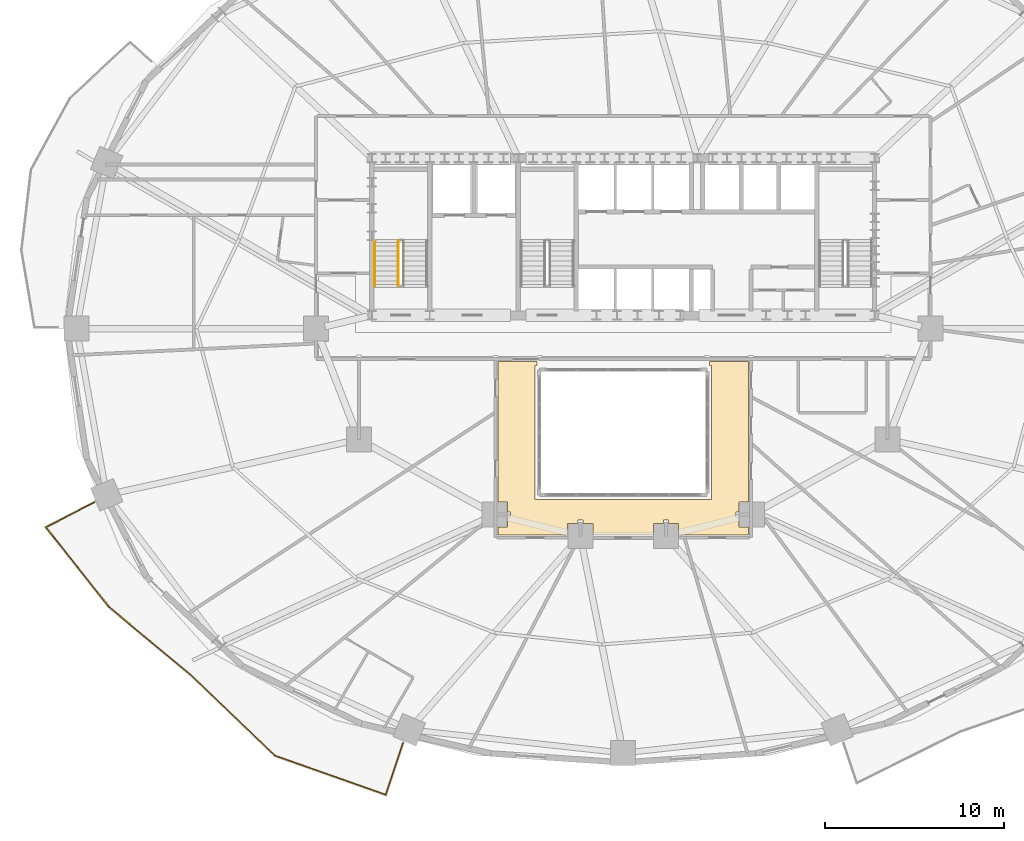
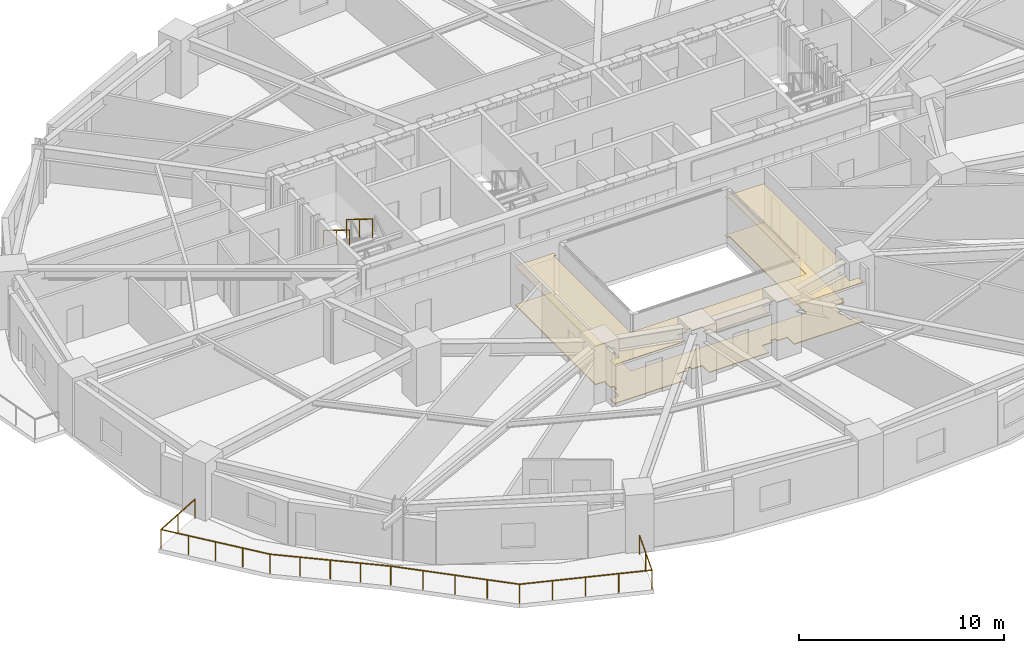
# One storey, part 14 of 17: 3 railings, 2 coverings.
"""IFC4 building model written with IfcOpenShell, lengths in metres."""

from ifc_helpers import new_model, si_unit, direction, frame, origin, origin_2d, place, context, subcontext, project, spatial, polyline, rectangle, outline, extrude, material, layer, layer_set, type_object, element, save


model = new_model("IFC4")

# Units and contexts
model_context = context("Model", 3, precision=1e-05, world=origin(), true_north=direction((0.0, 1.0)))
body_context = subcontext(model_context, "Body", "Model", "MODEL_VIEW")
ifc_project = project(units=[si_unit("LENGTHUNIT", "METRE"), si_unit("AREAUNIT", "SQUARE_METRE"), si_unit("VOLUMEUNIT", "CUBIC_METRE"), si_unit("PLANEANGLEUNIT", "RADIAN"), si_unit("MASSUNIT", "GRAM", prefix="KILO")], contexts=[model_context])

# Site, building, storey
site_placement = place(None, origin())
site = spatial("IfcSite", under=ifc_project, at=site_placement, CompositionType="ELEMENT")
building_placement = place(site_placement, origin())
building = spatial("IfcBuilding", under=site, at=building_placement, Name="Haldorwick Loom Tower", CompositionType="ELEMENT")
storey_placement = place(building_placement, frame((0.0, 0.0, 61.949951171875)))
storey = spatial("IfcBuildingStorey", under=building, at=storey_placement, Name="L16", CompositionType="ELEMENT", Elevation=61.949951171875)

# Coverings
ifc_material_1 = material(Name="Mineral Fibre Acoustic Ceiling Tile")
ifc_layer_1 = layer(ifc_material_1, 0.054931640625, Name="Mineral Fibre Acoustic Ceiling Tile")
ifc_layer_set_1 = layer_set([ifc_layer_1], Name="Mineral Fibre Acoustic Ceiling Tile")
covering_type_1 = type_object("IfcCoveringType", Name="ARC-COV-CEIL2", PredefinedType="CEILING", material=ifc_layer_set_1)
covering_1_placement = place(storey_placement, frame((0.0, 0.0, 2.302001953125)))
element("IfcCovering", 1, at=covering_1_placement, inside=storey, type_object=covering_type_1, Name="L16 Acoustic Suspended Ceiling 1", PredefinedType="CEILING", context=body_context, shape_type="SweptSolid", body=[
    extrude(outline(polyline([(33.739990234375, 15.10791015625), (34.30810546875, 15.10791015625), (34.30810546875, 14.43994140625), (37.69189453125, 14.43994140625), (37.69189453125, 15.10791015625), (38.260009765625, 15.10791015625), (38.260009765625, 15.27001953125), (38.260009765625, 15.27197265625), (38.260498046875, 15.27392578125), (38.260986328125, 15.27587890625), (38.261474609375, 15.277587890625), (38.262451171875, 15.279296875), (38.263427734375, 15.281005859375), (38.264404296875, 15.28271484375), (38.265869140625, 15.2841796875), (38.267333984375, 15.285400390625), (38.268798828125, 15.28662109375), (38.2705078125, 15.28759765625), (38.272216796875, 15.28857421875), (38.274169921875, 15.2890625), (38.276123046875, 15.28955078125), (38.278076171875, 15.289794921875), (38.280029296875, 15.2900390625), (38.52001953125, 15.2900390625), (38.52197265625, 15.289794921875), (38.52392578125, 15.28955078125), (38.52587890625, 15.2890625), (38.527587890625, 15.28857421875), (38.529296875, 15.28759765625), (38.531005859375, 15.28662109375), (38.53271484375, 15.285400390625), (38.5341796875, 15.2841796875), (38.535400390625, 15.28271484375), (38.53662109375, 15.281005859375), (38.53759765625, 15.279296875), (38.53857421875, 15.277587890625), (38.5390625, 15.27587890625), (38.53955078125, 15.27392578125), (38.539794921875, 15.27197265625), (38.5400390625, 15.27001953125), (38.5400390625, 15.10791015625), (39.10791015625, 15.10791015625), (39.10791015625, 14.43994140625), (43.010009765625, 14.43994140625), (43.010009765625, 14.89208984375), (42.491943359375, 14.89208984375), (42.491943359375, 15.4599609375), (42.330078125, 15.4599609375), (42.327880859375, 15.460205078125), (42.326171875, 15.46044921875), (42.32421875, 15.4609375), (42.322265625, 15.46142578125), (42.320556640625, 15.46240234375), (42.31884765625, 15.46337890625), (42.3173828125, 15.464599609375), (42.31591796875, 15.4658203125), (42.314453125, 15.46728515625), (42.3134765625, 15.468994140625), (42.3125, 15.470703125), (42.3115234375, 15.472412109375), (42.310791015625, 15.47412109375), (42.310302734375, 15.47607421875), (42.31005859375, 15.47802734375), (42.31005859375, 15.47998046875), (42.31005859375, 15.719970703125), (42.31005859375, 15.721923828125), (42.310302734375, 15.723876953125), (42.310791015625, 15.725830078125), (42.3115234375, 15.727783203125), (42.3125, 15.7294921875), (42.3134765625, 15.731201171875), (42.314453125, 15.732666015625), (42.31591796875, 15.734130859375), (42.3173828125, 15.735595703125), (42.31884765625, 15.736572265625), (42.320556640625, 15.737548828125), (42.322265625, 15.738525390625), (42.32421875, 15.739013671875), (42.326171875, 15.739501953125), (42.327880859375, 15.739990234375), (42.330078125, 15.739990234375), (42.491943359375, 15.739990234375), (42.491943359375, 16.30810546875), (43.010009765625, 16.30810546875), (43.010009765625, 24.159912109375), (40.820068359375, 24.159912109375), (40.820068359375, 23.949951171875), (40.949951171875, 23.949951171875), (40.949951171875, 16.449951171875), (31.050048828125, 16.449951171875), (31.050048828125, 23.949951171875), (31.179931640625, 23.949951171875), (31.179931640625, 24.159912109375), (28.989990234375, 24.159912109375), (28.989990234375, 16.30810546875), (29.508056640625, 16.30810546875), (29.508056640625, 15.739990234375), (29.669921875, 15.739990234375), (29.672119140625, 15.739990234375), (29.673828125, 15.739501953125), (29.67578125, 15.739013671875), (29.677734375, 15.738525390625), (29.679443359375, 15.737548828125), (29.68115234375, 15.736572265625), (29.6826171875, 15.735595703125), (29.68408203125, 15.734130859375), (29.685546875, 15.732666015625), (29.6865234375, 15.731201171875), (29.6875, 15.7294921875), (29.6884765625, 15.727783203125), (29.689208984375, 15.725830078125), (29.689697265625, 15.723876953125), (29.68994140625, 15.721923828125), (29.68994140625, 15.719970703125), (29.68994140625, 15.47998046875), (29.68994140625, 15.47802734375), (29.689697265625, 15.47607421875), (29.689208984375, 15.47412109375), (29.6884765625, 15.472412109375), (29.6875, 15.470703125), (29.6865234375, 15.468994140625), (29.685546875, 15.46728515625), (29.68408203125, 15.4658203125), (29.6826171875, 15.464599609375), (29.68115234375, 15.46337890625), (29.679443359375, 15.46240234375), (29.677734375, 15.46142578125), (29.67578125, 15.4609375), (29.673828125, 15.46044921875), (29.672119140625, 15.460205078125), (29.669921875, 15.4599609375), (29.508056640625, 15.4599609375), (29.508056640625, 14.89208984375), (28.989990234375, 14.89208984375), (28.989990234375, 14.43994140625), (32.89208984375, 14.43994140625), (32.89208984375, 15.10791015625), (33.458984375, 15.10791015625), (33.4599609375, 15.27001953125), (33.460205078125, 15.272216796875), (33.46044921875, 15.27392578125), (33.4609375, 15.27587890625), (33.461669921875, 15.277587890625), (33.46240234375, 15.279541015625), (33.46337890625, 15.28125), (33.464599609375, 15.28271484375), (33.4658203125, 15.2841796875), (33.46728515625, 15.285400390625), (33.468994140625, 15.28662109375), (33.470703125, 15.28759765625), (33.472412109375, 15.28857421875), (33.47412109375, 15.2890625), (33.47607421875, 15.28955078125), (33.47802734375, 15.289794921875), (33.47998046875, 15.2900390625), (33.719970703125, 15.2900390625), (33.721923828125, 15.289794921875), (33.723876953125, 15.28955078125), (33.725830078125, 15.2890625), (33.727783203125, 15.28857421875), (33.7294921875, 15.28759765625), (33.731201171875, 15.28662109375), (33.732666015625, 15.285400390625), (33.734130859375, 15.2841796875), (33.735595703125, 15.28271484375), (33.736572265625, 15.281005859375), (33.737548828125, 15.279296875), (33.738525390625, 15.277587890625), (33.739013671875, 15.27587890625), (33.739501953125, 15.27392578125), (33.739990234375, 15.27197265625), (33.739990234375, 15.27001953125), (33.739990234375, 15.10791015625)])), origin(), (0.0, 0.0, 1.0), 0.054931640625),
])
ifc_material_2 = material(Name="Polished Aggregate Terrazzo Finish")
ifc_layer_2 = layer(ifc_material_2, 0.044921875, Name="Polished Aggregate Terrazzo Finish")
ifc_layer_set_2 = layer_set([ifc_layer_2], Name="Polished Aggregate Terrazzo Finish")
covering_type_2 = type_object("IfcCoveringType", Name="ARC-COV-FLOOR2", PredefinedType="FLOORING", material=ifc_layer_set_2)
covering_2_placement = place(storey_placement, origin())
element("IfcCovering", 2, at=covering_2_placement, inside=storey, type_object=covering_type_2, Name="L16 Floor Finish 1", PredefinedType="FLOORING", context=body_context, shape_type="SweptSolid", body=[
    extrude(outline(polyline([(33.739990234375, 15.10791015625), (34.30810546875, 15.10791015625), (34.30810546875, 14.43994140625), (37.69189453125, 14.43994140625), (37.69189453125, 15.10791015625), (38.260009765625, 15.10791015625), (38.260009765625, 15.27001953125), (38.260009765625, 15.27197265625), (38.260498046875, 15.27392578125), (38.260986328125, 15.27587890625), (38.261474609375, 15.277587890625), (38.262451171875, 15.279296875), (38.263427734375, 15.281005859375), (38.264404296875, 15.28271484375), (38.265869140625, 15.2841796875), (38.267333984375, 15.285400390625), (38.268798828125, 15.28662109375), (38.2705078125, 15.28759765625), (38.272216796875, 15.28857421875), (38.274169921875, 15.2890625), (38.276123046875, 15.28955078125), (38.278076171875, 15.289794921875), (38.280029296875, 15.2900390625), (38.52001953125, 15.2900390625), (38.52197265625, 15.289794921875), (38.52392578125, 15.28955078125), (38.52587890625, 15.2890625), (38.527587890625, 15.28857421875), (38.529296875, 15.28759765625), (38.531005859375, 15.28662109375), (38.53271484375, 15.285400390625), (38.5341796875, 15.2841796875), (38.535400390625, 15.28271484375), (38.53662109375, 15.281005859375), (38.53759765625, 15.279296875), (38.53857421875, 15.277587890625), (38.5390625, 15.27587890625), (38.53955078125, 15.27392578125), (38.539794921875, 15.27197265625), (38.5400390625, 15.27001953125), (38.5400390625, 15.10791015625), (39.10791015625, 15.10791015625), (39.10791015625, 14.43994140625), (43.010009765625, 14.43994140625), (43.010009765625, 14.89208984375), (42.491943359375, 14.89208984375), (42.491943359375, 15.4599609375), (42.330078125, 15.4599609375), (42.327880859375, 15.460205078125), (42.326171875, 15.46044921875), (42.32421875, 15.4609375), (42.322265625, 15.46142578125), (42.320556640625, 15.46240234375), (42.31884765625, 15.46337890625), (42.3173828125, 15.464599609375), (42.31591796875, 15.4658203125), (42.314453125, 15.46728515625), (42.3134765625, 15.468994140625), (42.3125, 15.470703125), (42.3115234375, 15.472412109375), (42.310791015625, 15.47412109375), (42.310302734375, 15.47607421875), (42.31005859375, 15.47802734375), (42.31005859375, 15.47998046875), (42.31005859375, 15.719970703125), (42.31005859375, 15.721923828125), (42.310302734375, 15.723876953125), (42.310791015625, 15.725830078125), (42.3115234375, 15.727783203125), (42.3125, 15.7294921875), (42.3134765625, 15.731201171875), (42.314453125, 15.732666015625), (42.31591796875, 15.734130859375), (42.3173828125, 15.735595703125), (42.31884765625, 15.736572265625), (42.320556640625, 15.737548828125), (42.322265625, 15.738525390625), (42.32421875, 15.739013671875), (42.326171875, 15.739501953125), (42.327880859375, 15.739990234375), (42.330078125, 15.739990234375), (42.491943359375, 15.739990234375), (42.491943359375, 16.30810546875), (43.010009765625, 16.30810546875), (43.010009765625, 24.159912109375), (40.820068359375, 24.159912109375), (40.820068359375, 23.949951171875), (40.949951171875, 23.949951171875), (40.949951171875, 16.449951171875), (31.050048828125, 16.449951171875), (31.050048828125, 23.949951171875), (31.179931640625, 23.949951171875), (31.179931640625, 24.159912109375), (28.989990234375, 24.159912109375), (28.989990234375, 16.30810546875), (29.508056640625, 16.30810546875), (29.508056640625, 15.739990234375), (29.669921875, 15.739990234375), (29.672119140625, 15.739990234375), (29.673828125, 15.739501953125), (29.67578125, 15.739013671875), (29.677734375, 15.738525390625), (29.679443359375, 15.737548828125), (29.68115234375, 15.736572265625), (29.6826171875, 15.735595703125), (29.68408203125, 15.734130859375), (29.685546875, 15.732666015625), (29.6865234375, 15.731201171875), (29.6875, 15.7294921875), (29.6884765625, 15.727783203125), (29.689208984375, 15.725830078125), (29.689697265625, 15.723876953125), (29.68994140625, 15.721923828125), (29.68994140625, 15.719970703125), (29.68994140625, 15.47998046875), (29.68994140625, 15.47802734375), (29.689697265625, 15.47607421875), (29.689208984375, 15.47412109375), (29.6884765625, 15.472412109375), (29.6875, 15.470703125), (29.6865234375, 15.468994140625), (29.685546875, 15.46728515625), (29.68408203125, 15.4658203125), (29.6826171875, 15.464599609375), (29.68115234375, 15.46337890625), (29.679443359375, 15.46240234375), (29.677734375, 15.46142578125), (29.67578125, 15.4609375), (29.673828125, 15.46044921875), (29.672119140625, 15.460205078125), (29.669921875, 15.4599609375), (29.508056640625, 15.4599609375), (29.508056640625, 14.89208984375), (28.989990234375, 14.89208984375), (28.989990234375, 14.43994140625), (32.89208984375, 14.43994140625), (32.89208984375, 15.10791015625), (33.458984375, 15.10791015625), (33.4599609375, 15.27001953125), (33.460205078125, 15.272216796875), (33.46044921875, 15.27392578125), (33.4609375, 15.27587890625), (33.461669921875, 15.277587890625), (33.46240234375, 15.279541015625), (33.46337890625, 15.28125), (33.464599609375, 15.28271484375), (33.4658203125, 15.2841796875), (33.46728515625, 15.285400390625), (33.468994140625, 15.28662109375), (33.470703125, 15.28759765625), (33.472412109375, 15.28857421875), (33.47412109375, 15.2890625), (33.47607421875, 15.28955078125), (33.47802734375, 15.289794921875), (33.47998046875, 15.2900390625), (33.719970703125, 15.2900390625), (33.721923828125, 15.289794921875), (33.723876953125, 15.28955078125), (33.725830078125, 15.2890625), (33.727783203125, 15.28857421875), (33.7294921875, 15.28759765625), (33.731201171875, 15.28662109375), (33.732666015625, 15.285400390625), (33.734130859375, 15.2841796875), (33.735595703125, 15.28271484375), (33.736572265625, 15.281005859375), (33.737548828125, 15.279296875), (33.738525390625, 15.277587890625), (33.739013671875, 15.27587890625), (33.739501953125, 15.27392578125), (33.739990234375, 15.27197265625), (33.739990234375, 15.27001953125), (33.739990234375, 15.10791015625)])), origin(), (0.0, 0.0, 1.0), 0.045166015625),
])

# Railings
ifc_material_3 = material(Name="Galvanized Steel CSA G40.21 350W", Category="steel")
railing_type_1 = type_object("IfcRailingType", Name="ARC-RLG-BAL115", PredefinedType="BALUSTRADE", material=ifc_material_3)
railing_1_placement = place(storey_placement, frame((23.663818359375, 2.791748046875, 0.0)))
element("IfcRailing", 3, at=railing_1_placement, inside=storey, type_object=railing_type_1, Name="L16 Outdoor Terrace Guardrail SLB-L16-BAL_SW-1", PredefinedType="BALUSTRADE", context=body_context, shape_type="SweptSolid", body=[
    extrude(rectangle(XDim=0.048095703125, YDim=0.048095703125, at=origin_2d()), frame((0.0, 0.0, 1.1259765625), z_axis=(-0.316517691118, -0.948586607121, 0.0), x_axis=(0.948586607121, -0.316517691118, 0.0)), (0.0, 0.0, 1.0), 3.03125),
    extrude(rectangle(XDim=0.048095703125, YDim=0.048095703125, at=origin_2d()), frame((-0.95947265625, -2.87548828125, 1.1259765625), z_axis=(-0.942979374633, 0.332851166465, 0.0), x_axis=(-0.332851166465, -0.942979374633, 0.0)), (0.0, 0.0, 1.0), 6.580810546875),
    extrude(rectangle(XDim=0.048095703125, YDim=0.048095703125, at=origin_2d()), frame((-7.1650390625, -0.68505859375, 1.1259765625), z_axis=(-0.721452184694, 0.69246425554, 0.0), x_axis=(-0.69246425554, -0.721452184694, 0.0)), (0.0, 0.0, 1.0), 6.46826171875),
    extrude(rectangle(XDim=0.048095703125, YDim=0.048095703125, at=origin_2d()), frame((-11.83154296875, 3.7939453125, 1.1259765625), z_axis=(-0.768221279597, 0.640184399664, 0.0), x_axis=(-0.640184399664, -0.768221279597, 0.0)), (0.0, 0.0, 1.0), 0.005615234375),
    extrude(rectangle(XDim=0.048095703125, YDim=0.048095703125, at=origin_2d()), frame((-11.8359375, 3.797607421875, 1.1259765625), z_axis=(-0.768920852016, 0.639343978883, 0.0), x_axis=(-0.639343978883, -0.768920852016, 0.0)), (0.0, 0.0, 1.0), 5.974609375),
    extrude(rectangle(XDim=0.048095703125, YDim=0.048095703125, at=origin_2d()), frame((-16.429931640625, 7.617431640625, 1.1259765625), z_axis=(-0.621111371272, 0.783722313372, 0.0), x_axis=(-0.783722313372, -0.621111371272, 0.0)), (0.0, 0.0, 1.0), 5.709716796875),
    extrude(rectangle(XDim=0.048095703125, YDim=0.048095703125, at=origin_2d()), frame((-19.976318359375, 12.09228515625, 1.1259765625), z_axis=(0.888545143405, 0.458789197923, 0.0), x_axis=(-0.458789197923, 0.888545143405, 0.0)), (0.0, 0.0, 1.0), 3.060791015625),
    extrude(rectangle(XDim=0.0419921875, YDim=0.0419921875, at=origin_2d()), origin(), (0.0, 0.0, 1.0), 1.101806640625),
    extrude(rectangle(XDim=0.0419921875, YDim=0.0419921875, at=origin_2d()), frame((-0.479736328125, -1.437744140625, 0.0)), (0.0, 0.0, 1.0), 1.101806640625),
    extrude(rectangle(XDim=0.0419921875, YDim=0.0419921875, at=origin_2d()), frame((-0.95947265625, -2.87548828125, 0.0)), (0.0, 0.0, 1.0), 1.101806640625),
    extrude(rectangle(XDim=0.0419921875, YDim=0.0419921875, at=origin_2d()), frame((-2.5107421875, -2.327880859375, 0.0)), (0.0, 0.0, 1.0), 1.101806640625),
    extrude(rectangle(XDim=0.0419921875, YDim=0.0419921875, at=origin_2d()), frame((-4.062255859375, -1.7802734375, 0.0)), (0.0, 0.0, 1.0), 1.101806640625),
    extrude(rectangle(XDim=0.0419921875, YDim=0.0419921875, at=origin_2d()), frame((-5.61376953125, -1.232666015625, 0.0)), (0.0, 0.0, 1.0), 1.101806640625),
    extrude(rectangle(XDim=0.0419921875, YDim=0.0419921875, at=origin_2d()), frame((-7.1650390625, -0.68505859375, 0.0)), (0.0, 0.0, 1.0), 1.101806640625),
    extrude(rectangle(XDim=0.0419921875, YDim=0.0419921875, at=origin_2d()), frame((-8.33154296875, 0.4345703125, 0.0)), (0.0, 0.0, 1.0), 1.101806640625),
    extrude(rectangle(XDim=0.0419921875, YDim=0.0419921875, at=origin_2d()), frame((-9.498291015625, 1.554443359375, 0.0)), (0.0, 0.0, 1.0), 1.101806640625),
    extrude(rectangle(XDim=0.0419921875, YDim=0.0419921875, at=origin_2d()), frame((-10.6650390625, 2.67431640625, 0.0)), (0.0, 0.0, 1.0), 1.101806640625),
    extrude(rectangle(XDim=0.0419921875, YDim=0.0419921875, at=origin_2d()), frame((-11.83154296875, 3.7939453125, 0.0)), (0.0, 0.0, 1.0), 1.101806640625),
    extrude(rectangle(XDim=0.0419921875, YDim=0.0419921875, at=origin_2d()), frame((-12.984375, 4.75244140625, 0.0)), (0.0, 0.0, 1.0), 1.101806640625),
    extrude(rectangle(XDim=0.0419921875, YDim=0.0419921875, at=origin_2d()), frame((-14.1328125, 5.70751953125, 0.0)), (0.0, 0.0, 1.0), 1.101806640625),
    extrude(rectangle(XDim=0.0419921875, YDim=0.0419921875, at=origin_2d()), frame((-15.281494140625, 6.66259765625, 0.0)), (0.0, 0.0, 1.0), 1.101806640625),
    extrude(rectangle(XDim=0.0419921875, YDim=0.0419921875, at=origin_2d()), frame((-16.429931640625, 7.617431640625, 0.0)), (0.0, 0.0, 1.0), 1.101806640625),
    extrude(rectangle(XDim=0.0419921875, YDim=0.0419921875, at=origin_2d()), frame((-17.31640625, 8.736083984375, 0.0)), (0.0, 0.0, 1.0), 1.101806640625),
    extrude(rectangle(XDim=0.0419921875, YDim=0.0419921875, at=origin_2d()), frame((-18.203125, 9.85498046875, 0.0)), (0.0, 0.0, 1.0), 1.101806640625),
    extrude(rectangle(XDim=0.0419921875, YDim=0.0419921875, at=origin_2d()), frame((-19.08984375, 10.9736328125, 0.0)), (0.0, 0.0, 1.0), 1.101806640625),
    extrude(rectangle(XDim=0.0419921875, YDim=0.0419921875, at=origin_2d()), frame((-19.976318359375, 12.09228515625, 0.0)), (0.0, 0.0, 1.0), 1.101806640625),
    extrude(rectangle(XDim=0.0419921875, YDim=0.0419921875, at=origin_2d()), frame((-18.616455078125, 12.79443359375, 0.0)), (0.0, 0.0, 1.0), 1.101806640625),
    extrude(rectangle(XDim=0.0419921875, YDim=0.0419921875, at=origin_2d()), frame((-17.256591796875, 13.49658203125, 0.0)), (0.0, 0.0, 1.0), 1.101806640625),
])
ifc_material_4 = material(Name="Steel CSA G40.21 350W", Category="steel")
railing_type_2 = type_object("IfcRailingType", Name="ARC-RLG-GUARD112", PredefinedType="GUARDRAIL", material=ifc_material_4)
railing_2_placement = place(storey_placement, frame((23.39990234375, 30.919921875, 1.8974609375)))
element("IfcRailing", 4, at=railing_2_placement, inside=storey, type_object=railing_type_2, Name="L16 ST-01 stair guard 3", PredefinedType="GUARDRAIL", context=body_context, shape_type="SweptSolid", body=[
    extrude(rectangle(XDim=0.048095703125, YDim=0.048095703125, at=origin_2d()), frame((0.0, 0.0, 1.076171875), z_axis=(0.0, -0.851400495292, 0.524516154772), x_axis=(1.0, 0.0, 0.0)), (0.0, 0.0, 1.0), 2.9599609375),
    extrude(rectangle(XDim=0.0419921875, YDim=0.0419921875, at=origin_2d()), origin(), (0.0, 0.0, 1.0), 1.052001953125),
    extrude(rectangle(XDim=0.0419921875, YDim=0.0419921875, at=origin_2d()), frame((0.0, -1.260009765625, 0.7763671875)), (0.0, 0.0, 1.0), 1.052001953125),
    extrude(rectangle(XDim=0.0419921875, YDim=0.0419921875, at=origin_2d()), frame((0.0, -2.52001953125, 1.552490234375)), (0.0, 0.0, 1.0), 1.052001953125),
])
railing_type_3 = type_object("IfcRailingType", Name="ARC-RLG-HAND092", PredefinedType="HANDRAIL", material=ifc_material_4)
railing_3_placement = place(storey_placement, frame((22.10009765625, 30.919921875, 1.8974609375)))
element("IfcRailing", 5, at=railing_3_placement, inside=storey, type_object=railing_type_3, Name="L16 ST-01 stair handrail 2", PredefinedType="HANDRAIL", context=body_context, shape_type="SweptSolid", body=[
    extrude(rectangle(XDim=0.048095703125, YDim=0.048095703125, at=origin_2d()), frame((0.0, 0.0, 0.8759765625), z_axis=(0.0, -0.851400495292, 0.524516154772), x_axis=(1.0, 0.0, 0.0)), (0.0, 0.0, 1.0), 2.9599609375),
    extrude(rectangle(XDim=0.0419921875, YDim=0.0419921875, at=origin_2d()), origin(), (0.0, 0.0, 1.0), 0.851806640625),
    extrude(rectangle(XDim=0.0419921875, YDim=0.0419921875, at=origin_2d()), frame((0.0, -1.260009765625, 0.7763671875)), (0.0, 0.0, 1.0), 0.851806640625),
    extrude(rectangle(XDim=0.0419921875, YDim=0.0419921875, at=origin_2d()), frame((0.0, -2.52001953125, 1.552490234375)), (0.0, 0.0, 1.0), 0.851806640625),
])

save(model, "model.ifc")
